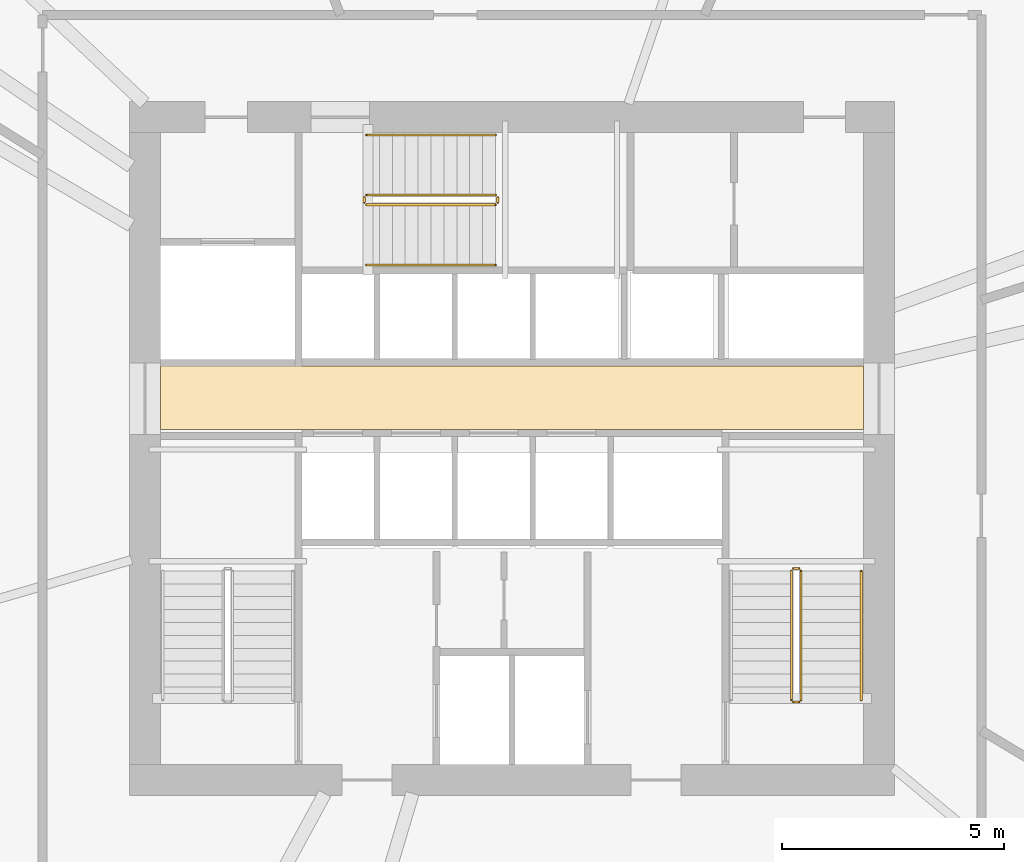
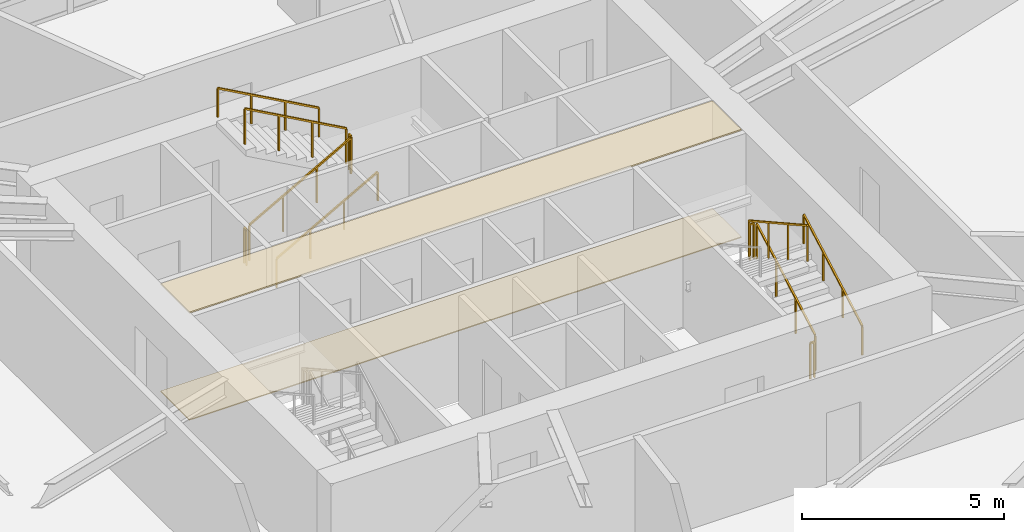
# One storey, part 19 of 20: 11 railings, 2 coverings.
"""IFC4 building model written with IfcOpenShell, lengths in metres."""

import ifcopenshell
import ifcopenshell.guid

model = None  # the IFC model being written
_history = None  # IfcOwnerHistory: only IFC2X3 demands one
_inside = {}  # id of a spatial element -> (the spatial element, [elements in it])
_under = {}  # id of a project, library or spatial element -> (it, [spatial elements below it])
_declared = {}  # id of a project -> (the project, [libraries it declares])
_typed = {}  # id of a type object -> (the type object, [elements of that type])
_made_of = {}  # id of a material, layer set ... -> (it, [elements and type objects made of it])


def new_model(schema):
    """Start an empty IFC model of exactly this schema.

    Asked for "IFC4X3", IfcOpenShell would pick the latest addendum, in which some entities
    have other attributes; the version numbers below select the first issue.
    IFC2X3 requires an IfcOwnerHistory on every rooted entity: one is made here for all.
    """
    global model, _history
    if schema == "IFC4X3":
        model = ifcopenshell.file(schema_version=(4, 3, 0, 0))
    else:
        model = ifcopenshell.file(schema=schema)
    _inside.clear()
    _under.clear()
    _declared.clear()
    _typed.clear()
    _made_of.clear()
    _history = None
    if model.schema == "IFC2X3":
        org = make("IfcOrganization", Name="unknown")
        user = make(
            "IfcPersonAndOrganization",
            ThePerson=make("IfcPerson", FamilyName="unknown"),
            TheOrganization=org,
        )
        app = make(
            "IfcApplication",
            ApplicationDeveloper=org,
            Version="unknown",
            ApplicationFullName="unknown",
            ApplicationIdentifier="unknown",
        )
        _history = make(
            "IfcOwnerHistory",
            OwningUser=user,
            OwningApplication=app,
            ChangeAction="ADDED",
            CreationDate=0,
        )
    return model


def make(cls, **values):
    """One entity of the class cls with the attributes given. An attribute that is None is left unset."""
    return model.create_entity(
        cls, **{name: value for name, value in values.items() if value is not None}
    )


def rooted(cls, **values):
    """An entity with a GlobalId (a new one), such as an element, a storey or a relation."""
    return make(cls, GlobalId=ifcopenshell.guid.new(), OwnerHistory=_history, **values)


def si_unit(unit_type, name, prefix=None):
    """IfcSIUnit, for example si_unit("LENGTHUNIT", "METRE", prefix="MILLI")."""
    return make("IfcSIUnit", UnitType=unit_type, Prefix=prefix, Name=name)


def assignment(units):
    """IfcUnitAssignment: the units of a project."""
    return None if units is None else make("IfcUnitAssignment", Units=units)


def point(xyz):
    """IfcCartesianPoint."""
    return None if xyz is None else make("IfcCartesianPoint", Coordinates=xyz)


def direction(xyz):
    """IfcDirection."""
    return None if xyz is None else make("IfcDirection", DirectionRatios=xyz)


def frame(location, z_axis=None, x_axis=None):
    """IfcAxis2Placement3D, a coordinate frame: its origin and axes. An axis left out is left unset."""
    return make(
        "IfcAxis2Placement3D",
        Location=point(location),
        Axis=direction(z_axis),
        RefDirection=direction(x_axis),
    )


def frame_2d(location, x_axis=None):
    """IfcAxis2Placement2D, a coordinate frame in the plane: its origin and x axis."""
    return make(
        "IfcAxis2Placement2D", Location=point(location), RefDirection=direction(x_axis)
    )


def origin():
    """The frame at (0, 0, 0) with its axes left unset."""
    return frame((0.0, 0.0, 0.0))


def origin_2d():
    """The frame at (0, 0) in the plane with its x axis left unset."""
    return frame_2d((0.0, 0.0))


def place(relative_to, where):
    """IfcLocalPlacement: puts the frame where relative to a parent placement (None: the world)."""
    return make(
        "IfcLocalPlacement", PlacementRelTo=relative_to, RelativePlacement=where
    )


def context(
    kind, dimensions, precision=None, world=None, true_north=None, identifier=None
):
    """IfcGeometricRepresentationContext, for example the 3D "Model" context."""
    return make(
        "IfcGeometricRepresentationContext",
        ContextIdentifier=identifier,
        ContextType=kind,
        CoordinateSpaceDimension=dimensions,
        Precision=precision,
        WorldCoordinateSystem=world,
        TrueNorth=true_north,
    )


def subcontext(parent, identifier, kind, view, scale=None):
    """IfcGeometricRepresentationSubContext, for example "Body" below "Model"."""
    return make(
        "IfcGeometricRepresentationSubContext",
        ContextIdentifier=identifier,
        ContextType=kind,
        ParentContext=parent,
        TargetScale=scale,
        TargetView=view,
    )


def project(units=None, contexts=None):
    """IfcProject with its units and contexts."""
    return rooted(
        "IfcProject",
        Name="project",
        RepresentationContexts=contexts,
        UnitsInContext=assignment(units),
    )


def spatial(cls, under=None, at=None, **own):
    """A site, building, storey or space (cls), placed at a placement, below another one or the project."""
    s = rooted(cls, ObjectPlacement=at, **own)
    if under is not None:
        _under.setdefault(under.id(), (under, []))[1].append(s)
    return s


def polyline(points):
    """IfcPolyline through the points."""
    return make("IfcPolyline", Points=[point(p) for p in points])


def profile(cls, at=None, kind="AREA", **sizes):
    """A parametric profile (cls). Its sizes go by their IFC names, for example OverallWidth=200.0."""
    return make(cls, ProfileType=kind, Position=at, **sizes)


def rectangle(**sizes):
    """IfcRectangleProfileDef."""
    return profile("IfcRectangleProfileDef", **sizes)


def outline(outer, holes=None, kind="AREA"):
    """IfcArbitraryClosedProfileDef: a profile drawn as a closed curve; with holes, ...WithVoids."""
    if holes is None:
        return make("IfcArbitraryClosedProfileDef", ProfileType=kind, OuterCurve=outer)
    return make(
        "IfcArbitraryProfileDefWithVoids",
        ProfileType=kind,
        OuterCurve=outer,
        InnerCurves=holes,
    )


def extrude(swept, where, along, depth):
    """IfcExtrudedAreaSolid: the profile swept, set in the frame where, extruded along a direction by depth."""
    return make(
        "IfcExtrudedAreaSolid",
        SweptArea=swept,
        Position=where,
        ExtrudedDirection=direction(along),
        Depth=depth,
    )


def shape(context_of_items, identifier, shape_type, items):
    """IfcShapeRepresentation: the items that make up one representation, for example the "Body"."""
    return make(
        "IfcShapeRepresentation",
        ContextOfItems=context_of_items,
        RepresentationIdentifier=identifier,
        RepresentationType=shape_type,
        Items=items,
    )


def material(Name=None, Category=None):
    """IfcMaterial."""
    return make("IfcMaterial", Name=Name, Category=Category)


def layer(
    of_material, thickness, ventilated=None, Name=None, Category=None, Priority=None
):
    """IfcMaterialLayer: one layer of a wall or slab, of a material (None: an air gap)."""
    return make(
        "IfcMaterialLayer",
        Material=of_material,
        LayerThickness=thickness,
        IsVentilated=ventilated,
        Name=Name,
        Category=Category,
        Priority=Priority,
    )


def layer_set(layers, Name=None):
    """IfcMaterialLayerSet."""
    return make("IfcMaterialLayerSet", MaterialLayers=layers, LayerSetName=Name)


def made_of(thing, what):
    """Note that an element or type object is made of a material, layer set ...; save() writes the relation."""
    if what is not None:
        _made_of.setdefault(what.id(), (what, []))[1].append(thing)
    return thing


def type_object(cls, material=None, **own):
    """A type object (cls), such as IfcWallType, which elements share."""
    return made_of(rooted(cls, **own), material)


def element(
    cls,
    number,
    at=None,
    inside=None,
    cuts=None,
    type_object=None,
    material=None,
    context=None,
    identifier="Body",
    shape_type=None,
    held_by="IfcProductDefinitionShape",
    body=None,
    shapes=None,
    **own,
):
    """One element of the class cls, such as IfcWall. Its Tag is "e" and its number.

    at: its placement. inside: the storey or other place that contains it. cuts: it is an
    opening in that element (IfcRelVoidsElement). A single representation is given by context,
    identifier, shape_type and body (its items); several are given by shapes. held_by: the class
    of the entity that holds the representations. save() writes the other relations.
    """
    e = rooted(cls, Tag="e%d" % number, ObjectPlacement=at, **own)
    if body is not None:
        shapes = [shape(context, identifier, shape_type, body)]
    if shapes is not None:
        e.Representation = make(held_by, Representations=shapes)
    if inside is not None:
        _inside.setdefault(inside.id(), (inside, []))[1].append(e)
    if cuts is not None:
        rooted(
            "IfcRelVoidsElement", RelatingBuildingElement=cuts, RelatedOpeningElement=e
        )
    if type_object is not None:
        _typed.setdefault(type_object.id(), (type_object, []))[1].append(e)
    return made_of(e, material)


def aggregate(whole, parts):
    """IfcRelAggregates: a whole, such as a stair, and the parts it consists of."""
    return rooted("IfcRelAggregates", RelatingObject=whole, RelatedObjects=parts)


def save(model, path):
    """Write the relations noted so far, then the file.

    IfcRelAggregates (storeys below a building ...), IfcRelContainedInSpatialStructure (elements
    in a storey), IfcRelDefinesByType, IfcRelAssociatesMaterial and IfcRelDeclares: one each for
    every whole, place, type object, material and project.
    """
    for whole, parts in _under.values():
        aggregate(whole, parts)
    for where, things in _inside.values():
        rooted(
            "IfcRelContainedInSpatialStructure",
            RelatedElements=things,
            RelatingStructure=where,
        )
    for kind, things in _typed.values():
        rooted("IfcRelDefinesByType", RelatedObjects=things, RelatingType=kind)
    for what, things in _made_of.values():
        rooted("IfcRelAssociatesMaterial", RelatedObjects=things, RelatingMaterial=what)
    for by, libraries in _declared.values():
        rooted("IfcRelDeclares", RelatingContext=by, RelatedDefinitions=libraries)
    model.write(path)


model = new_model("IFC4")

# Units and contexts
model_context = context("Model", 3, precision=1e-05, world=origin(), true_north=direction((0.0, 1.0)))
body_context = subcontext(model_context, "Body", "Model", "MODEL_VIEW")
ifc_project = project(units=[si_unit("LENGTHUNIT", "METRE"), si_unit("AREAUNIT", "SQUARE_METRE"), si_unit("VOLUMEUNIT", "CUBIC_METRE"), si_unit("PLANEANGLEUNIT", "RADIAN"), si_unit("MASSUNIT", "GRAM", prefix="KILO")], contexts=[model_context])

# Site, building, storey
site_placement = place(None, origin())
site = spatial("IfcSite", under=ifc_project, at=site_placement, CompositionType="ELEMENT")
building_placement = place(site_placement, origin())
building = spatial("IfcBuilding", under=site, at=building_placement, Name="Olszyna Solenne Hotel", CompositionType="ELEMENT")
storey_placement = place(building_placement, frame((0.0, 0.0, 98.60009765625)))
storey = spatial("IfcBuildingStorey", under=building, at=storey_placement, Name="L25", CompositionType="ELEMENT", Elevation=98.60009765625)

# Coverings
ifc_material_1 = material(Name="Mineral wool acoustic ceiling")
ifc_layer_1 = layer(ifc_material_1, 0.0400390625, Name="Mineral wool acoustic ceiling")
ifc_layer_set_1 = layer_set([ifc_layer_1], Name="Mineral wool acoustic ceiling")
covering_type_1 = type_object("IfcCoveringType", Name="CL-AC1", PredefinedType="CEILING", material=ifc_layer_set_1)
covering_1_placement = place(storey_placement, frame((0.0, 0.0, 3.239990234375)))
element("IfcCovering", 1, at=covering_1_placement, inside=storey, type_object=covering_type_1, Name="Lift lobby acoustic tile ceiling CL-L25-01", PredefinedType="CEILING", context=body_context, shape_type="SweptSolid", body=[
    extrude(outline(polyline([(30.10009765625, 27.030029296875), (45.89990234375, 27.030029296875), (45.89990234375, 28.4599609375), (30.10009765625, 28.4599609375), (30.10009765625, 27.030029296875)])), origin(), (0.0, 0.0, 1.0), 0.039794921875),
])
ifc_material_2 = material(Name="Ceramic floor tile")
ifc_layer_2 = layer(ifc_material_2, 0.030029296875, Name="Ceramic floor tile")
ifc_layer_set_2 = layer_set([ifc_layer_2], Name="Ceramic floor tile")
covering_type_2 = type_object("IfcCoveringType", Name="FL-TL1", PredefinedType="FLOORING", material=ifc_layer_set_2)
covering_2_placement = place(storey_placement, origin())
element("IfcCovering", 2, at=covering_2_placement, inside=storey, type_object=covering_type_2, Name="Lift lobby stoneware floor finish FLR-L25-01", PredefinedType="FLOORING", context=body_context, shape_type="SweptSolid", body=[
    extrude(outline(polyline([(30.10009765625, 27.030029296875), (45.89990234375, 27.030029296875), (45.89990234375, 28.4599609375), (30.10009765625, 28.4599609375), (30.10009765625, 27.030029296875)])), origin(), (0.0, 0.0, 1.0), 0.02978515625),
])

# Railings
ifc_material_3 = material(Name="Anodised bronze aluminium", Category="aluminium")
railing_type_1 = type_object("IfcRailingType", Name="GR-110", PredefinedType="BALUSTRADE", material=ifc_material_3)
railing_1_placement = place(storey_placement, frame((44.5, 20.949951171875, 0.161376953125)))
element("IfcRailing", 3, at=railing_1_placement, inside=storey, type_object=railing_type_1, Name="L25 ST2 stair guard 1", PredefinedType="BALUSTRADE", context=body_context, shape_type="SweptSolid", body=[
    extrude(rectangle(XDim=0.048095703125, YDim=0.048095703125, at=origin_2d()), frame((0.0, 0.0, 1.076171875), z_axis=(0.0, 0.873858693841, 0.486179990537), x_axis=(-1.0, 0.0, 0.0)), (0.0, 0.0, 1.0), 3.31884765625),
    extrude(rectangle(XDim=0.0419921875, YDim=0.0419921875, at=origin_2d()), origin(), (0.0, 0.0, 1.0), 1.052001953125),
    extrude(rectangle(XDim=0.0419921875, YDim=0.0419921875, at=origin_2d()), frame((0.0, 0.966796875, 0.537841796875)), (0.0, 0.0, 1.0), 1.052001953125),
    extrude(rectangle(XDim=0.0419921875, YDim=0.0419921875, at=origin_2d()), frame((0.0, 1.933349609375, 1.07568359375)), (0.0, 0.0, 1.0), 1.052001953125),
    extrude(rectangle(XDim=0.0419921875, YDim=0.0419921875, at=origin_2d()), frame((0.0, 2.900146484375, 1.613525390625)), (0.0, 0.0, 1.0), 1.052001953125),
])
railing_2_placement = place(storey_placement, frame((44.449951171875, 23.89990234375, 1.77490234375)))
element("IfcRailing", 4, at=railing_2_placement, inside=storey, type_object=railing_type_1, Name="L25 ST2 stair guard 2", PredefinedType="BALUSTRADE", context=body_context, shape_type="SweptSolid", body=[
    extrude(rectangle(XDim=0.048095703125, YDim=0.048095703125, at=origin_2d()), frame((0.0, 0.0, 1.076171875), z_axis=(-1.0, 0.0, 0.0), x_axis=(0.0, -1.0, 0.0)), (0.0, 0.0, 1.0), 0.119873046875),
    extrude(rectangle(XDim=0.0419921875, YDim=0.0419921875, at=origin_2d()), origin(), (0.0, 0.0, 1.0), 1.052001953125),
    extrude(rectangle(XDim=0.0419921875, YDim=0.0419921875, at=origin_2d()), frame((-0.119873046875, 0.0, 0.0)), (0.0, 0.0, 1.0), 1.052001953125),
])
railing_3_placement = place(storey_placement, frame((44.280029296875, 23.85009765625, 1.936279296875)))
element("IfcRailing", 5, at=railing_3_placement, inside=storey, type_object=railing_type_1, Name="L25 ST2 stair guard 3", PredefinedType="BALUSTRADE", context=body_context, shape_type="SweptSolid", body=[
    extrude(rectangle(XDim=0.048095703125, YDim=0.048095703125, at=origin_2d()), frame((0.0, 0.0, 1.076171875), z_axis=(0.0, -0.873858693841, 0.486179990537), x_axis=(1.0, 0.0, 0.0)), (0.0, 0.0, 1.0), 3.31884765625),
    extrude(rectangle(XDim=0.0419921875, YDim=0.0419921875, at=origin_2d()), origin(), (0.0, 0.0, 1.0), 1.052001953125),
    extrude(rectangle(XDim=0.0419921875, YDim=0.0419921875, at=origin_2d()), frame((0.0, -0.966796875, 0.537841796875)), (0.0, 0.0, 1.0), 1.052001953125),
    extrude(rectangle(XDim=0.0419921875, YDim=0.0419921875, at=origin_2d()), frame((0.0, -1.933349609375, 1.07568359375)), (0.0, 0.0, 1.0), 1.052001953125),
    extrude(rectangle(XDim=0.0419921875, YDim=0.0419921875, at=origin_2d()), frame((0.0, -2.900146484375, 1.613525390625)), (0.0, 0.0, 1.0), 1.052001953125),
])
railing_4_placement = place(storey_placement, frame((44.449951171875, 20.89990234375, 0.0)))
element("IfcRailing", 6, at=railing_4_placement, inside=storey, type_object=railing_type_1, Name="L25 ST2 stair guard 4", PredefinedType="BALUSTRADE", context=body_context, shape_type="SweptSolid", body=[
    extrude(rectangle(XDim=0.048095703125, YDim=0.048095703125, at=origin_2d()), frame((0.0, 0.0, 1.076171875), z_axis=(-1.0, 0.0, 0.0), x_axis=(0.0, -1.0, 0.0)), (0.0, 0.0, 1.0), 0.119873046875),
    extrude(rectangle(XDim=0.0419921875, YDim=0.0419921875, at=origin_2d()), origin(), (0.0, 0.0, 1.0), 1.052001953125),
    extrude(rectangle(XDim=0.0419921875, YDim=0.0419921875, at=origin_2d()), frame((-0.119873046875, 0.0, 0.0)), (0.0, 0.0, 1.0), 1.052001953125),
])
railing_5_placement = place(storey_placement, frame((34.72998046875, 32.080078125, 0.161376953125)))
element("IfcRailing", 7, at=railing_5_placement, inside=storey, type_object=railing_type_1, Name="L25 ST3 stair guard 1", PredefinedType="BALUSTRADE", context=body_context, shape_type="SweptSolid", body=[
    extrude(rectangle(XDim=0.048095703125, YDim=0.048095703125, at=origin_2d()), frame((0.0, 0.0, 1.076171875), z_axis=(0.873841303929, 0.0, 0.486211245805), x_axis=(0.0, 1.0, 0.0)), (0.0, 0.0, 1.0), 3.318603515625),
    extrude(rectangle(XDim=0.0419921875, YDim=0.0419921875, at=origin_2d()), origin(), (0.0, 0.0, 1.0), 1.052001953125),
    extrude(rectangle(XDim=0.0419921875, YDim=0.0419921875, at=origin_2d()), frame((0.966552734375, 0.0, 0.537841796875)), (0.0, 0.0, 1.0), 1.052001953125),
    extrude(rectangle(XDim=0.0419921875, YDim=0.0419921875, at=origin_2d()), frame((1.933349609375, 0.0, 1.07568359375)), (0.0, 0.0, 1.0), 1.052001953125),
    extrude(rectangle(XDim=0.0419921875, YDim=0.0419921875, at=origin_2d()), frame((2.89990234375, 0.0, 1.613525390625)), (0.0, 0.0, 1.0), 1.052001953125),
])
railing_6_placement = place(storey_placement, frame((37.679931640625, 32.1298828125, 1.77490234375)))
element("IfcRailing", 8, at=railing_6_placement, inside=storey, type_object=railing_type_1, Name="L25 ST3 stair guard 2", PredefinedType="BALUSTRADE", context=body_context, shape_type="SweptSolid", body=[
    extrude(rectangle(XDim=0.048095703125, YDim=0.048095703125, at=origin_2d()), frame((0.0, 0.0, 1.076171875), z_axis=(0.0, 1.0, 0.0), x_axis=(-1.0, 0.0, 0.0)), (0.0, 0.0, 1.0), 0.1201171875),
    extrude(rectangle(XDim=0.0419921875, YDim=0.0419921875, at=origin_2d()), origin(), (0.0, 0.0, 1.0), 1.052001953125),
    extrude(rectangle(XDim=0.0419921875, YDim=0.0419921875, at=origin_2d()), frame((0.0, 0.1201171875, 0.0)), (0.0, 0.0, 1.0), 1.052001953125),
])
railing_7_placement = place(storey_placement, frame((37.6298828125, 32.300048828125, 1.936279296875)))
element("IfcRailing", 9, at=railing_7_placement, inside=storey, type_object=railing_type_1, Name="L25 ST3 stair guard 3", PredefinedType="BALUSTRADE", context=body_context, shape_type="SweptSolid", body=[
    extrude(rectangle(XDim=0.048095703125, YDim=0.048095703125, at=origin_2d()), frame((0.0, 0.0, 1.076171875), z_axis=(-0.873841303929, 0.0, 0.486211245805), x_axis=(0.0, -1.0, 0.0)), (0.0, 0.0, 1.0), 3.318603515625),
    extrude(rectangle(XDim=0.0419921875, YDim=0.0419921875, at=origin_2d()), origin(), (0.0, 0.0, 1.0), 1.052001953125),
    extrude(rectangle(XDim=0.0419921875, YDim=0.0419921875, at=origin_2d()), frame((-0.966552734375, 0.0, 0.537841796875)), (0.0, 0.0, 1.0), 1.052001953125),
    extrude(rectangle(XDim=0.0419921875, YDim=0.0419921875, at=origin_2d()), frame((-1.933349609375, 0.0, 1.07568359375)), (0.0, 0.0, 1.0), 1.052001953125),
    extrude(rectangle(XDim=0.0419921875, YDim=0.0419921875, at=origin_2d()), frame((-2.89990234375, 0.0, 1.613525390625)), (0.0, 0.0, 1.0), 1.052001953125),
])
railing_8_placement = place(storey_placement, frame((34.679931640625, 32.1298828125, 0.0)))
element("IfcRailing", 10, at=railing_8_placement, inside=storey, type_object=railing_type_1, Name="L25 ST3 stair guard 4", PredefinedType="BALUSTRADE", context=body_context, shape_type="SweptSolid", body=[
    extrude(rectangle(XDim=0.048095703125, YDim=0.048095703125, at=origin_2d()), frame((0.0, 0.0, 1.076171875), z_axis=(0.0, 1.0, 0.0), x_axis=(-1.0, 0.0, 0.0)), (0.0, 0.0, 1.0), 0.1201171875),
    extrude(rectangle(XDim=0.0419921875, YDim=0.0419921875, at=origin_2d()), origin(), (0.0, 0.0, 1.0), 1.052001953125),
    extrude(rectangle(XDim=0.0419921875, YDim=0.0419921875, at=origin_2d()), frame((0.0, 0.1201171875, 0.0)), (0.0, 0.0, 1.0), 1.052001953125),
])
ifc_material_4 = material(Name="Steel S355J2", Category="steel")
railing_type_2 = type_object("IfcRailingType", Name="HR-090", PredefinedType="HANDRAIL", material=ifc_material_4)
railing_9_placement = place(storey_placement, frame((45.85009765625, 20.949951171875, 0.161376953125)))
element("IfcRailing", 11, at=railing_9_placement, inside=storey, type_object=railing_type_2, Name="L25 ST2 stair handrail 1", PredefinedType="HANDRAIL", context=body_context, shape_type="SweptSolid", body=[
    extrude(rectangle(XDim=0.048095703125, YDim=0.048095703125, at=origin_2d()), frame((0.0, 0.0, 0.8759765625), z_axis=(0.0, 0.873858693841, 0.486179990537), x_axis=(-1.0, 0.0, 0.0)), (0.0, 0.0, 1.0), 3.31884765625),
    extrude(rectangle(XDim=0.0419921875, YDim=0.0419921875, at=origin_2d()), origin(), (0.0, 0.0, 1.0), 0.851806640625),
    extrude(rectangle(XDim=0.0419921875, YDim=0.0419921875, at=origin_2d()), frame((0.0, 0.966796875, 0.537841796875)), (0.0, 0.0, 1.0), 0.851806640625),
    extrude(rectangle(XDim=0.0419921875, YDim=0.0419921875, at=origin_2d()), frame((0.0, 1.933349609375, 1.07568359375)), (0.0, 0.0, 1.0), 0.851806640625),
    extrude(rectangle(XDim=0.0419921875, YDim=0.0419921875, at=origin_2d()), frame((0.0, 2.900146484375, 1.613525390625)), (0.0, 0.0, 1.0), 0.851806640625),
])
railing_10_placement = place(storey_placement, frame((34.72998046875, 30.72998046875, 0.161376953125)))
element("IfcRailing", 12, at=railing_10_placement, inside=storey, type_object=railing_type_2, Name="L25 ST3 stair handrail 1", PredefinedType="HANDRAIL", context=body_context, shape_type="SweptSolid", body=[
    extrude(rectangle(XDim=0.048095703125, YDim=0.048095703125, at=origin_2d()), frame((0.0, 0.0, 0.8759765625), z_axis=(0.873841303929, 0.0, 0.486211245805), x_axis=(0.0, 1.0, 0.0)), (0.0, 0.0, 1.0), 3.318603515625),
    extrude(rectangle(XDim=0.0419921875, YDim=0.0419921875, at=origin_2d()), origin(), (0.0, 0.0, 1.0), 0.851806640625),
    extrude(rectangle(XDim=0.0419921875, YDim=0.0419921875, at=origin_2d()), frame((0.966552734375, 0.0, 0.537841796875)), (0.0, 0.0, 1.0), 0.851806640625),
    extrude(rectangle(XDim=0.0419921875, YDim=0.0419921875, at=origin_2d()), frame((1.933349609375, 0.0, 1.07568359375)), (0.0, 0.0, 1.0), 0.851806640625),
    extrude(rectangle(XDim=0.0419921875, YDim=0.0419921875, at=origin_2d()), frame((2.89990234375, 0.0, 1.613525390625)), (0.0, 0.0, 1.0), 0.851806640625),
])
railing_11_placement = place(storey_placement, frame((37.6298828125, 33.64990234375, 1.936279296875)))
element("IfcRailing", 13, at=railing_11_placement, inside=storey, type_object=railing_type_2, Name="L25 ST3 stair handrail 2", PredefinedType="HANDRAIL", context=body_context, shape_type="SweptSolid", body=[
    extrude(rectangle(XDim=0.048095703125, YDim=0.048095703125, at=origin_2d()), frame((0.0, 0.0, 0.8759765625), z_axis=(-0.873841303929, 0.0, 0.486211245805), x_axis=(0.0, -1.0, 0.0)), (0.0, 0.0, 1.0), 3.318603515625),
    extrude(rectangle(XDim=0.0419921875, YDim=0.0419921875, at=origin_2d()), origin(), (0.0, 0.0, 1.0), 0.851806640625),
    extrude(rectangle(XDim=0.0419921875, YDim=0.0419921875, at=origin_2d()), frame((-0.966552734375, 0.0, 0.537841796875)), (0.0, 0.0, 1.0), 0.851806640625),
    extrude(rectangle(XDim=0.0419921875, YDim=0.0419921875, at=origin_2d()), frame((-1.933349609375, 0.0, 1.07568359375)), (0.0, 0.0, 1.0), 0.851806640625),
    extrude(rectangle(XDim=0.0419921875, YDim=0.0419921875, at=origin_2d()), frame((-2.89990234375, 0.0, 1.613525390625)), (0.0, 0.0, 1.0), 0.851806640625),
])

save(model, "model.ifc")
